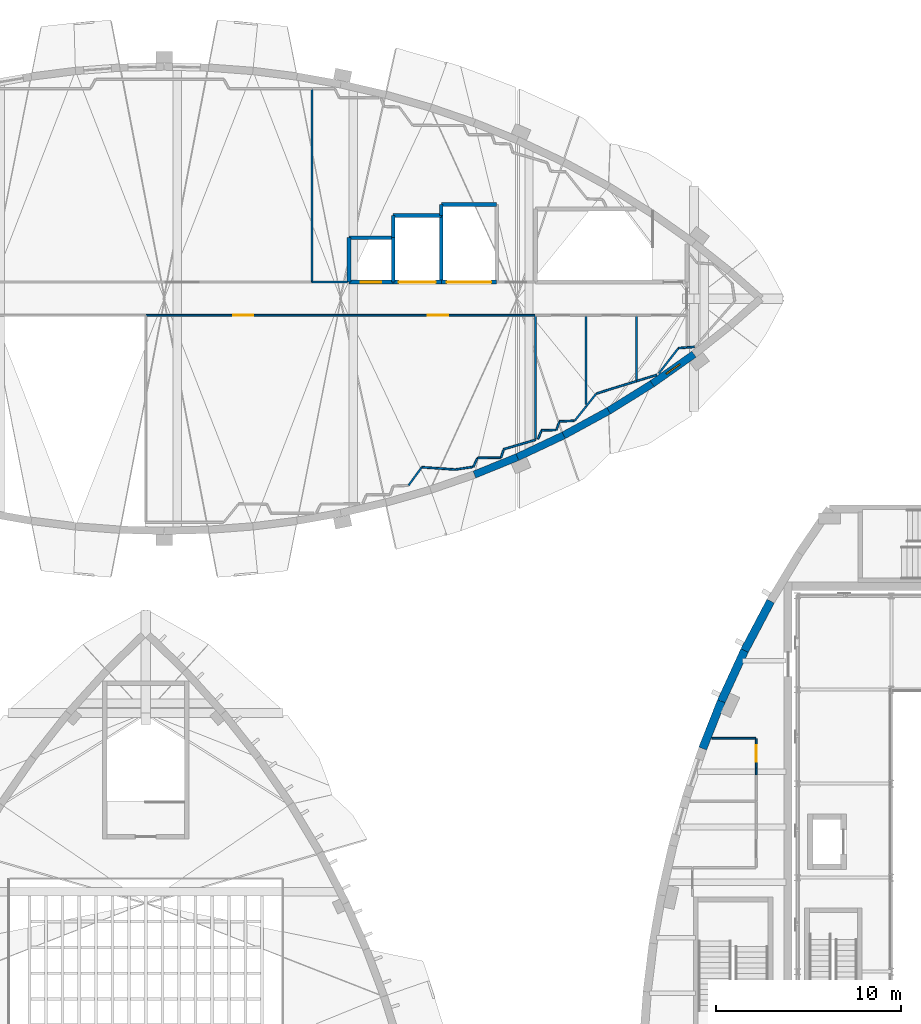
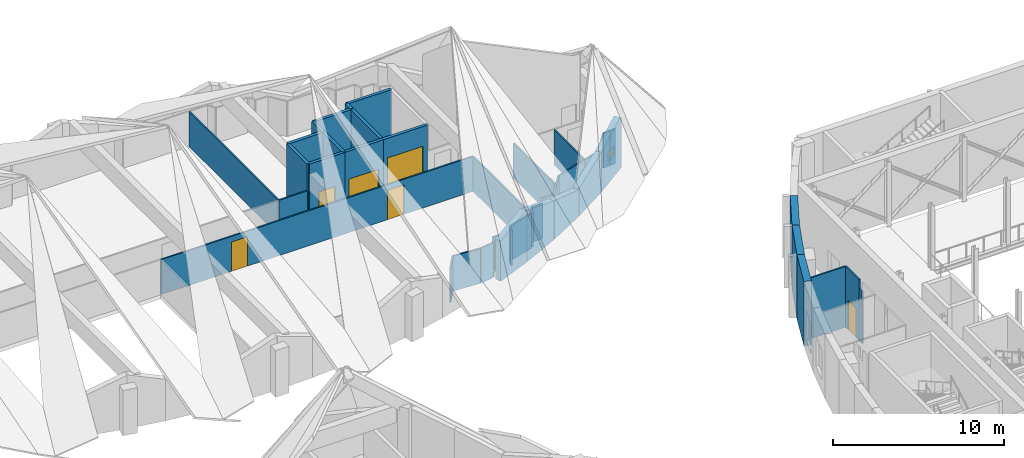
# One storey, part 40 of 56: 46 walls, 6 doors, 1 window, 7 openings.
"""IFC4 building model written with IfcOpenShell, lengths in metres."""

from ifc_helpers import new_model, si_unit, direction, frame, frame_2d, origin, place, context, subcontext, project, spatial, polyline, rectangle, outline, extrude, material, layer, layer_set, type_object, element, fill, save


model = new_model("IFC4")

# Units and contexts
model_context = context("Model", 3, precision=1e-05, world=origin(), true_north=direction((0.0, 1.0)))
body_context = subcontext(model_context, "Body", "Model", "MODEL_VIEW")
ifc_project = project(units=[si_unit("LENGTHUNIT", "METRE"), si_unit("AREAUNIT", "SQUARE_METRE"), si_unit("VOLUMEUNIT", "CUBIC_METRE"), si_unit("PLANEANGLEUNIT", "RADIAN"), si_unit("MASSUNIT", "GRAM", prefix="KILO")], contexts=[model_context])

# Site, building, storey
site_placement = place(None, origin())
site = spatial("IfcSite", under=ifc_project, at=site_placement, CompositionType="ELEMENT")
building_placement = place(site_placement, origin())
building = spatial("IfcBuilding", under=site, at=building_placement, Name="Tide Square Theatres", CompositionType="ELEMENT")
storey_placement = place(building_placement, frame((0.0, 0.0, 10.199951171875)))
storey = spatial("IfcBuildingStorey", under=building, at=storey_placement, Name="L02", CompositionType="ELEMENT", Elevation=10.199951171875)

# Wall, openings, doors
ifc_material_1 = material(Name="Gypsum board on steel studs", Category="steel")
ifc_layer_1 = layer(ifc_material_1, 0.10009765625)
ifc_layer_set_1 = layer_set([ifc_layer_1], Name="Gypsum board on steel studs")
wall_type_1 = type_object("IfcWallType", Name="Partition 100 thick", PredefinedType="PARTITIONING", material=ifc_layer_set_1)
wall_1_placement = place(storey_placement, frame((57.10009765625, 96.89990234375, 0.0), z_axis=(0.0, 0.0, 1.0), x_axis=(-1.0, 0.0, 0.0)))
wall_1 = element("IfcWall", 1, at=wall_1_placement, inside=storey, type_object=wall_type_1, Name="Scenery Workshops partition", PredefinedType="PARTITIONING", context=body_context, shape_type="SweptSolid", body=[
    extrude(rectangle(XDim=21.10009765625, YDim=0.10009765625, at=frame_2d((10.550048828125, 0.0))), origin(), (0.0, 0.0, 1.0), 2.5),
])
opening_1_placement = place(wall_1_placement, frame((15.27490234375, 0.0, 0.0)))
opening_1 = element("IfcOpeningElement", 2, at=opening_1_placement, cuts=wall_1, Name="Opening W2-09", PredefinedType="OPENING", context=body_context, shape_type="SweptSolid", body=[
    extrude(rectangle(XDim=1.10009765625, YDim=2.10009765625, at=frame_2d((0.550048828125, 1.050048828125))), frame((0.0, 0.06005859375, 0.0), z_axis=(0.0, -1.0, 0.0), x_axis=(1.0, 0.0, 0.0)), (0.0, 0.0, 1.0), 0.1201171875),
])
opening_2_placement = place(wall_1_placement, frame((4.72509765625, 0.0, 0.0)))
opening_2 = element("IfcOpeningElement", 3, at=opening_2_placement, cuts=wall_1, Name="Opening W2-10", PredefinedType="OPENING", context=body_context, shape_type="SweptSolid", body=[
    extrude(rectangle(XDim=1.10009765625, YDim=2.10009765625, at=frame_2d((0.550048828125, 1.050048828125))), frame((0.0, 0.06005859375, 0.0), z_axis=(0.0, -1.0, 0.0), x_axis=(1.0, 0.0, 0.0)), (0.0, 0.0, 1.0), 0.1201171875),
])
ifc_material_2 = material(Name="Painted steel", Category="steel")
door_type_1 = type_object("IfcDoorType", Name="Door 1100 x 2100 single leaf", OperationType="NOTDEFINED", PredefinedType="DOOR", material=ifc_material_2)
door_1_placement = place(opening_1_placement, origin())
door_1 = element("IfcDoor", 4, at=door_1_placement, inside=storey, type_object=door_type_1, Name="Scenery Workshops door W2-09 to Scenery Store 02", OperationType="SINGLE_SWING_RIGHT", OverallHeight=2.10009765625, OverallWidth=1.10009765625, PredefinedType="DOOR", context=body_context, shape_type="SweptSolid", body=[
    extrude(rectangle(XDim=1.10009765625, YDim=2.10009765625, at=frame_2d((0.550048828125, 1.050048828125))), frame((0.0, 0.02490234375, 0.0), z_axis=(0.0, -1.0, 0.0), x_axis=(1.0, 0.0, 0.0)), (0.0, 0.0, 1.0), 0.050048828125),
])
fill(opening_1, door_1)
door_2_placement = place(opening_2_placement, origin())
door_2 = element("IfcDoor", 5, at=door_2_placement, inside=storey, type_object=door_type_1, Name="Scenery Workshops door W2-10 to Scenery Store 02", OperationType="SINGLE_SWING_RIGHT", OverallHeight=2.10009765625, OverallWidth=1.10009765625, PredefinedType="DOOR", context=body_context, shape_type="SweptSolid", body=[
    extrude(rectangle(XDim=1.10009765625, YDim=2.10009765625, at=frame_2d((0.550048828125, 1.050048828125))), frame((0.0, 0.02490234375, 0.0), z_axis=(0.0, -1.0, 0.0), x_axis=(1.0, 0.0, 0.0)), (0.0, 0.0, 1.0), 0.050048828125),
])
fill(opening_2, door_2)

# Walls
wall_2_placement = place(storey_placement, frame((45.0, 98.699951171875, 0.0), z_axis=(0.0, 0.0, 1.0), x_axis=(1.0, 0.0, 0.0)))
element("IfcWall", 6, at=wall_2_placement, inside=storey, type_object=wall_type_1, Name="Scenery Workshops partition", PredefinedType="PARTITIONING", context=body_context, shape_type="SweptSolid", body=[
    extrude(rectangle(XDim=1.909912109375, YDim=0.10009765625, at=frame_2d((0.955078125, 0.0))), origin(), (0.0, 0.0, 1.0), 2.5),
])
wall_3_placement = place(storey_placement, frame((45.0, 109.1416015625, 0.0), z_axis=(0.0, 0.0, 1.0), x_axis=(0.0, -1.0, 0.0)))
element("IfcWall", 7, at=wall_3_placement, inside=storey, type_object=wall_type_1, Name="Scenery Workshops partition", PredefinedType="PARTITIONING", context=body_context, shape_type="SweptSolid", body=[
    extrude(rectangle(XDim=10.41162109375, YDim=0.10009765625, at=frame_2d((5.205810546875, 0.0))), origin(), (0.0, 0.0, 1.0), 2.5),
])
wall_4_placement = place(storey_placement, frame((57.10009765625, 90.158447265625, 0.0), z_axis=(0.0, 0.0, 1.0), x_axis=(-0.958762505139, -0.284208477599, 0.0)))
element("IfcWall", 8, at=wall_4_placement, inside=storey, type_object=wall_type_1, Name="Scenery Workshops partition", PredefinedType="PARTITIONING", context=body_context, shape_type="SweptSolid", body=[
    extrude(rectangle(XDim=1.798828125, YDim=0.10009765625, at=frame_2d((0.8994140625, 0.0))), origin(), (0.0, 0.0, 1.0), 2.5),
])
wall_5_placement = place(storey_placement, frame((55.36669921875, 89.618408203125, 0.0), z_axis=(0.0, 0.0, 1.0), x_axis=(-0.293816701139, -0.955861781918, 0.0)))
element("IfcWall", 9, at=wall_5_placement, inside=storey, type_object=wall_type_1, Name="Scenery Workshops partition", PredefinedType="PARTITIONING", context=body_context, shape_type="SweptSolid", body=[
    extrude(rectangle(XDim=0.4462890625, YDim=0.10009765625, at=frame_2d((0.22314453125, 0.0))), origin(), (0.0, 0.0, 1.0), 2.5),
])
wall_6_placement = place(storey_placement, frame((55.205810546875, 89.191650390625, 0.0), z_axis=(0.0, 0.0, 1.0), x_axis=(-0.999946760125, -0.010318765243, 0.0)))
element("IfcWall", 10, at=wall_6_placement, inside=storey, type_object=wall_type_1, Name="Scenery Workshops partition", PredefinedType="PARTITIONING", context=body_context, shape_type="SweptSolid", body=[
    extrude(rectangle(XDim=1.25390625, YDim=0.10009765625, at=frame_2d((0.626953125, 0.0))), origin(), (0.0, 0.0, 1.0), 2.5),
])
wall_7_placement = place(storey_placement, frame((53.939453125, 89.1513671875, 0.0), z_axis=(0.0, 0.0, 1.0), x_axis=(-0.41156059164, -0.911382400208, 0.0)))
element("IfcWall", 11, at=wall_7_placement, inside=storey, type_object=wall_type_1, Name="Scenery Workshops partition", PredefinedType="PARTITIONING", context=body_context, shape_type="SweptSolid", body=[
    extrude(rectangle(XDim=0.500732421875, YDim=0.10009765625, at=frame_2d((0.25048828125, 0.0))), origin(), (0.0, 0.0, 1.0), 2.5),
])
wall_8_placement = place(storey_placement, frame((53.703857421875, 88.69091796875, 0.0), z_axis=(0.0, 0.0, 1.0), x_axis=(-0.989137594244, -0.146992583665, 0.0)))
element("IfcWall", 12, at=wall_8_placement, inside=storey, type_object=wall_type_1, Name="Scenery Workshops partition", PredefinedType="PARTITIONING", context=body_context, shape_type="SweptSolid", body=[
    extrude(rectangle(XDim=0.956787109375, YDim=0.10009765625, at=frame_2d((0.478515625, 0.0))), origin(), (0.0, 0.0, 1.0), 2.5),
])
wall_9_placement = place(storey_placement, frame((52.757568359375, 88.55029296875, 0.0), z_axis=(0.0, 0.0, 1.0), x_axis=(-0.997564674207, 0.069747550305, 0.0)))
element("IfcWall", 13, at=wall_9_placement, inside=storey, type_object=wall_type_1, Name="Scenery Workshops partition", PredefinedType="PARTITIONING", context=body_context, shape_type="SweptSolid", body=[
    extrude(rectangle(XDim=1.816650390625, YDim=0.10009765625, at=frame_2d((0.908203125, 0.0))), origin(), (0.0, 0.0, 1.0), 2.5),
])
wall_10_placement = place(storey_placement, frame((50.927490234375, 88.652587890625, 0.0), z_axis=(0.0, 0.0, 1.0), x_axis=(-0.589331401149, -0.80789139098, 0.0)))
element("IfcWall", 14, at=wall_10_placement, inside=storey, type_object=wall_type_1, Name="Scenery Workshops partition", PredefinedType="PARTITIONING", context=body_context, shape_type="SweptSolid", body=[
    extrude(rectangle(XDim=1.1884765625, YDim=0.10009765625, at=frame_2d((0.59423828125, 0.0))), origin(), (0.0, 0.0, 1.0), 2.5),
])
wall_11_placement = place(storey_placement, frame((59.833251953125, 91.956298828125, 0.0), z_axis=(0.0, 0.0, 1.0), x_axis=(-0.622220537754, -0.78284200347, 0.0)))
element("IfcWall", 15, at=wall_11_placement, inside=storey, type_object=wall_type_1, Name="Scenery Workshops partition", PredefinedType="PARTITIONING", context=body_context, shape_type="SweptSolid", body=[
    extrude(rectangle(XDim=0.975830078125, YDim=0.10009765625, at=frame_2d((0.48779296875, 0.0))), origin(), (0.0, 0.0, 1.0), 2.5),
])
wall_12_placement = place(storey_placement, frame((59.196044921875, 91.191162109375, 0.0), z_axis=(0.0, 0.0, 1.0), x_axis=(-0.999043422178, -0.043729173361, 0.0)))
element("IfcWall", 16, at=wall_12_placement, inside=storey, type_object=wall_type_1, Name="Scenery Workshops partition", PredefinedType="PARTITIONING", context=body_context, shape_type="SweptSolid", body=[
    extrude(rectangle(XDim=0.79833984375, YDim=0.10009765625, at=frame_2d((0.399169921875, 0.0))), origin(), (0.0, 0.0, 1.0), 2.5),
])
wall_13_placement = place(storey_placement, frame((58.388427734375, 91.1279296875, 0.0), z_axis=(0.0, 0.0, 1.0), x_axis=(-0.332985995719, -0.942931772004, 0.0)))
element("IfcWall", 17, at=wall_13_placement, inside=storey, type_object=wall_type_1, Name="Scenery Workshops partition", PredefinedType="PARTITIONING", context=body_context, shape_type="SweptSolid", body=[
    extrude(rectangle(XDim=0.4619140625, YDim=0.10009765625, at=frame_2d((0.23095703125, 0.0))), origin(), (0.0, 0.0, 1.0), 2.5),
])
wall_14_placement = place(storey_placement, frame((58.20458984375, 90.69140625, 0.0), z_axis=(0.0, 0.0, 1.0), x_axis=(-0.999585681844, -0.028783061887, 0.0)))
element("IfcWall", 18, at=wall_14_placement, inside=storey, type_object=wall_type_1, Name="Scenery Workshops partition", PredefinedType="PARTITIONING", context=body_context, shape_type="SweptSolid", body=[
    extrude(rectangle(XDim=0.7802734375, YDim=0.10009765625, at=frame_2d((0.39013671875, 0.0))), origin(), (0.0, 0.0, 1.0), 2.5),
])
wall_15_placement = place(storey_placement, frame((57.41357421875, 90.64111328125, 0.0), z_axis=(0.0, 0.0, 1.0), x_axis=(-0.372802913833, -0.927910549265, 0.0)))
element("IfcWall", 19, at=wall_15_placement, inside=storey, type_object=wall_type_1, Name="Scenery Workshops partition", PredefinedType="PARTITIONING", context=body_context, shape_type="SweptSolid", body=[
    extrude(rectangle(XDim=0.476806640625, YDim=0.10009765625, at=frame_2d((0.23828125, 0.0))), origin(), (0.0, 0.0, 1.0), 2.5),
])
wall_16_placement = place(storey_placement, frame((57.10009765625, 90.1884765625, 0.0), z_axis=(0.0, 0.0, 1.0), x_axis=(0.0, 1.0, 0.0)))
element("IfcWall", 20, at=wall_16_placement, inside=storey, type_object=wall_type_1, Name="Scenery Workshops partition", PredefinedType="PARTITIONING", context=body_context, shape_type="SweptSolid", body=[
    extrude(rectangle(XDim=6.681640625, YDim=0.10009765625, at=frame_2d((3.3408203125, 0.0))), origin(), (0.0, 0.0, 1.0), 2.5),
])
wall_17_placement = place(storey_placement, frame((62.566650390625, 93.335693359375, 0.0), z_axis=(0.0, 0.0, 1.0), x_axis=(-0.954993948464, -0.296625282802, 0.0)))
element("IfcWall", 21, at=wall_17_placement, inside=storey, type_object=wall_type_1, Name="Scenery Workshops partition", PredefinedType="PARTITIONING", context=body_context, shape_type="SweptSolid", body=[
    extrude(rectangle(XDim=2.27587890625, YDim=0.10009765625, at=frame_2d((1.137939453125, 0.0))), origin(), (0.0, 0.0, 1.0), 2.5),
])
wall_18_placement = place(storey_placement, frame((60.38720703125, 92.652587890625, 0.0), z_axis=(0.0, 0.0, 1.0), x_axis=(-0.622584673897, -0.782552441584, 0.0)))
element("IfcWall", 22, at=wall_18_placement, inside=storey, type_object=wall_type_1, Name="Scenery Workshops partition", PredefinedType="PARTITIONING", context=body_context, shape_type="SweptSolid", body=[
    extrude(rectangle(XDim=0.8896484375, YDim=0.10009765625, at=frame_2d((0.44482421875, 0.0))), origin(), (0.0, 0.0, 1.0), 2.5),
])
wall_19_placement = place(storey_placement, frame((59.833251953125, 96.8701171875, 0.0), z_axis=(0.0, 0.0, 1.0), x_axis=(0.0, -1.0, 0.0)))
element("IfcWall", 23, at=wall_19_placement, inside=storey, type_object=wall_type_1, Name="Scenery Workshops partition", PredefinedType="PARTITIONING", context=body_context, shape_type="SweptSolid", body=[
    extrude(rectangle(XDim=4.7939453125, YDim=0.10009765625, at=frame_2d((2.39697265625, 0.0))), origin(), (0.0, 0.0, 1.0), 2.5),
])
wall_20_placement = place(storey_placement, frame((63.668701171875, 93.677978515625, 0.0), z_axis=(0.0, 0.0, 1.0), x_axis=(-0.954998028135, -0.296612147861, 0.0)))
element("IfcWall", 24, at=wall_20_placement, inside=storey, type_object=wall_type_1, Name="Scenery Workshops partition", PredefinedType="PARTITIONING", context=body_context, shape_type="SweptSolid", body=[
    extrude(rectangle(XDim=1.154052734375, YDim=0.10009765625, at=frame_2d((0.5771484375, 0.0))), origin(), (0.0, 0.0, 1.0), 2.5),
])
wall_21_placement = place(storey_placement, frame((62.566650390625, 96.860107421875, 0.0), z_axis=(0.0, 0.0, 1.0), x_axis=(0.0, -1.0, 0.0)))
element("IfcWall", 25, at=wall_21_placement, inside=storey, type_object=wall_type_1, Name="Scenery Workshops partition", PredefinedType="PARTITIONING", context=body_context, shape_type="SweptSolid", body=[
    extrude(rectangle(XDim=3.474365234375, YDim=0.10009765625, at=frame_2d((1.7373046875, 0.0))), origin(), (0.0, 0.0, 1.0), 2.5),
])
wall_22_placement = place(storey_placement, frame((65.300048828125, 95.1591796875, 0.0), z_axis=(0.0, 0.0, 1.0), x_axis=(-0.996890500496, -0.078799302161, 0.0)))
element("IfcWall", 26, at=wall_22_placement, inside=storey, type_object=wall_type_1, Name="Scenery Workshops partition", PredefinedType="PARTITIONING", context=body_context, shape_type="SweptSolid", body=[
    extrude(rectangle(XDim=0.461669921875, YDim=0.10009765625, at=frame_2d((0.23095703125, 0.0))), origin(), (0.0, 0.0, 1.0), 2.5),
])
wall_23_placement = place(storey_placement, frame((64.821533203125, 95.09912109375, 0.0), z_axis=(0.0, 0.0, 1.0), x_axis=(-0.614326279965, -0.789052103314, 0.0)))
element("IfcWall", 27, at=wall_23_placement, inside=storey, type_object=wall_type_1, Name="Scenery Workshops partition", PredefinedType="PARTITIONING", context=body_context, shape_type="SweptSolid", body=[
    extrude(rectangle(XDim=1.708984375, YDim=0.10009765625, at=frame_2d((0.8544921875, 0.0))), origin(), (0.0, 0.0, 1.0), 2.5),
])
wall_24_placement = place(storey_placement, frame((65.70556640625, 95.19140625, 0.0), z_axis=(0.0, 0.0, 1.0), x_axis=(-0.996857122612, -0.079220433585, 0.0)))
element("IfcWall", 28, at=wall_24_placement, inside=storey, type_object=wall_type_1, Name="Scenery Workshops partition", PredefinedType="PARTITIONING", context=body_context, shape_type="SweptSolid", body=[
    extrude(rectangle(XDim=0.40673828125, YDim=0.10009765625, at=frame_2d((0.203369140625, 0.0))), origin(), (0.0, 0.0, 1.0), 2.5),
])
wall_25_placement = place(storey_placement, frame((66.653076171875, 74.0, 0.0), z_axis=(0.0, 0.0, 1.0), x_axis=(1.0, 0.0, 0.0)))
element("IfcWall", 29, at=wall_25_placement, inside=storey, type_object=wall_type_1, Name="Partition", PredefinedType="PARTITIONING", context=body_context, shape_type="SweptSolid", body=[
    extrude(rectangle(XDim=2.36376953125, YDim=0.10009765625, at=frame_2d((1.181884765625, 0.0))), origin(), (0.0, 0.0, 1.0), 4.35009765625),
])

# Wall, opening, door
wall_26_placement = place(storey_placement, frame((69.050048828125, 73.976806640625, 0.0), z_axis=(0.0, 0.0, 1.0), x_axis=(0.0, -1.0, 0.0)))
wall_26 = element("IfcWall", 30, at=wall_26_placement, inside=storey, type_object=wall_type_1, Name="Partition", PredefinedType="PARTITIONING", context=body_context, shape_type="SweptSolid", body=[
    extrude(rectangle(XDim=1.596923828125, YDim=0.10009765625, at=frame_2d((0.79833984375, 0.0))), origin(), (0.0, 0.0, 1.0), 4.35009765625),
])
opening_3_placement = place(wall_26_placement, frame((0.348388671875, 0.0, 0.0)))
opening_3 = element("IfcOpeningElement", 31, at=opening_3_placement, cuts=wall_26, Name="Opening M02-16", PredefinedType="OPENING", context=body_context, shape_type="SweptSolid", body=[
    extrude(rectangle(XDim=0.89990234375, YDim=2.10009765625, at=frame_2d((0.449951171875, 1.050048828125))), frame((0.0, 0.06005859375, 0.0), z_axis=(0.0, -1.0, 0.0), x_axis=(1.0, 0.0, 0.0)), (0.0, 0.0, 1.0), 0.1201171875),
])
ifc_material_3 = material(Name="Hardwood timber", Category="wood")
door_type_2 = type_object("IfcDoorType", Name="Door 900 x 2100 single leaf", OperationType="NOTDEFINED", PredefinedType="DOOR", material=ifc_material_3)
door_3_placement = place(opening_3_placement, frame((0.89990234375, 0.0, 0.0), z_axis=(0.0, 0.0, 1.0), x_axis=(-1.0, 0.0, 0.0)))
door_3 = element("IfcDoor", 32, at=door_3_placement, inside=storey, type_object=door_type_2, Name="Chorus Shower Room door", OperationType="SINGLE_SWING_RIGHT", OverallHeight=2.10009765625, OverallWidth=0.89990234375, PredefinedType="DOOR", context=body_context, shape_type="SweptSolid", body=[
    extrude(rectangle(XDim=0.89990234375, YDim=2.10009765625, at=frame_2d((0.449951171875, 1.050048828125))), frame((0.0, 0.02490234375, 0.0), z_axis=(0.0, -1.0, 0.0), x_axis=(1.0, 0.0, 0.0)), (0.0, 0.0, 1.0), 0.050048828125),
])
fill(opening_3, door_3)

# Walls
wall_27_placement = place(storey_placement, frame((69.050048828125, 72.3798828125, 0.0), z_axis=(0.0, 0.0, 1.0), x_axis=(0.0, -1.0, 0.0)))
element("IfcWall", 33, at=wall_27_placement, inside=storey, type_object=wall_type_1, Name="Partition", PredefinedType="PARTITIONING", context=body_context, shape_type="SweptSolid", body=[
    extrude(rectangle(XDim=0.35986328125, YDim=0.10009765625, at=frame_2d((0.179931640625, 0.0))), origin(), (0.0, 0.0, 1.0), 3.719970703125),
])
ifc_material_4 = material(Name="Concrete C40", Category="concrete")
ifc_layer_2 = layer(ifc_material_4, 0.39990234375)
ifc_layer_set_2 = layer_set([ifc_layer_2], Name="Concrete C40")
wall_type_2 = type_object("IfcWallType", Name="RC curved wall 400 thick", PredefinedType="SOLIDWALL", material=ifc_layer_set_2)
wall_28_placement = place(storey_placement, frame((53.79296875, 88.2783203125, 0.0), z_axis=(0.0, 0.0, 1.0), x_axis=(0.926722795862, 0.375745738007, 0.0)))
element("IfcWall", 34, at=wall_28_placement, inside=storey, type_object=wall_type_2, Name="Scenery Workshops perimeter wall 021", PredefinedType="SOLIDWALL", context=body_context, shape_type="SweptSolid", body=[
    extrude(outline(polyline([(0.0, 0.0), (2.5107421875, 0.0), (2.5107421875, 3.677734375), (2.478271484375, 3.6904296875), (2.397216796875, 3.738525390625), (2.316162109375, 3.709228515625), (0.144287109375, 2.930908203125), (0.0, 2.879150390625), (0.0, 0.0)])), frame((0.0, 0.199951171875, 0.0), z_axis=(0.0, -1.0, 0.0), x_axis=(1.0, 0.0, 0.0)), (0.0, 0.0, 1.0), 0.39990234375),
])
wall_29_placement = place(storey_placement, frame((56.11962890625, 89.2216796875, 0.0), z_axis=(0.0, 0.0, 1.0), x_axis=(0.904527098751, 0.42641614372, 0.0)))
element("IfcWall", 35, at=wall_29_placement, inside=storey, type_object=wall_type_2, Name="Scenery Workshops perimeter wall 022", PredefinedType="SOLIDWALL", context=body_context, shape_type="SweptSolid", body=[
    extrude(outline(polyline([(0.0, 0.0), (2.772216796875, 0.0), (2.772216796875, 2.768310546875), (2.749267578125, 2.777099609375), (0.210693359375, 3.60546875), (0.116455078125, 3.635986328125), (0.0, 3.673828125), (0.0, 0.0)])), frame((0.0, 0.199951171875, 0.0), z_axis=(0.0, -1.0, 0.0), x_axis=(1.0, 0.0, 0.0)), (0.0, 0.0, 1.0), 0.39990234375),
])
wall_30_placement = place(storey_placement, frame((58.627197265625, 90.40380859375, 0.0), z_axis=(0.0, 0.0, 1.0), x_axis=(0.878292493566, 0.478123724308, 0.0)))
element("IfcWall", 36, at=wall_30_placement, inside=storey, type_object=wall_type_2, Name="Scenery Workshops perimeter wall 023", PredefinedType="SOLIDWALL", context=body_context, shape_type="SweptSolid", body=[
    extrude(outline(polyline([(0.0, 0.0), (2.771728515625, 0.0), (2.771728515625, 1.96630859375), (2.734375, 1.9560546875), (2.6728515625, 1.93896484375), (0.0, 2.76416015625), (0.0, 0.0)])), frame((0.0, 0.199951171875, 0.0), z_axis=(0.0, -1.0, 0.0), x_axis=(1.0, 0.0, 0.0)), (0.0, 0.0, 1.0), 0.39990234375),
])
wall_31_placement = place(storey_placement, frame((61.0615234375, 91.72900390625, 0.0), z_axis=(0.0, 0.0, 1.0), x_axis=(0.84912946359, 0.528184772653, 0.0)))
element("IfcWall", 37, at=wall_31_placement, inside=storey, type_object=wall_type_2, Name="Scenery Workshops perimeter wall 024", PredefinedType="SOLIDWALL", context=body_context, shape_type="SweptSolid", body=[
    extrude(outline(polyline([(0.0, 0.0), (2.77197265625, 0.0), (2.771728515625, 2.844970703125), (2.450927734375, 2.765625), (0.525146484375, 2.140380859375), (0.0, 1.969970703125), (0.0, 0.0)])), frame((0.0, 0.199951171875, 0.0), z_axis=(0.0, -1.0, 0.0), x_axis=(1.0, 0.0, 0.0)), (0.0, 0.0, 1.0), 0.39990234375),
])

# Wall, opening, window
wall_32_placement = place(storey_placement, frame((63.415283203125, 93.193115234375, 0.0), z_axis=(0.0, 0.0, 1.0), x_axis=(0.817028877428, 0.576596751161, 0.0)))
wall_32 = element("IfcWall", 38, at=wall_32_placement, inside=storey, type_object=wall_type_2, Name="Scenery Workshops perimeter wall 025", PredefinedType="SOLIDWALL", context=body_context, shape_type="SweptSolid", body=[
    extrude(outline(polyline([(0.0, 0.0), (2.772216796875, 0.0), (2.772216796875, 3.554931640625), (2.743896484375, 3.567626953125), (2.602783203125, 3.693359375), (2.461669921875, 3.6474609375), (0.36669921875, 2.967529296875), (0.0, 2.848388671875), (0.0, 0.0)])), frame((0.0, 0.199951171875, 0.0), z_axis=(0.0, -1.0, 0.0), x_axis=(1.0, 0.0, 0.0)), (0.0, 0.0, 1.0), 0.39990234375),
])
opening_4_placement = place(wall_32_placement, frame((0.93603515625, 0.0, 1.60009765625)))
opening_4 = element("IfcOpeningElement", 39, at=opening_4_placement, cuts=wall_32, Name="Opening WN-12", PredefinedType="OPENING", context=body_context, shape_type="SweptSolid", body=[
    extrude(rectangle(XDim=0.89990234375, YDim=0.60009765625, at=frame_2d((0.449951171875, 0.300048828125))), frame((0.0, 0.2099609375, 0.0), z_axis=(0.0, -1.0, 0.0), x_axis=(1.0, 0.0, 0.0)), (0.0, 0.0, 1.0), 0.419921875),
])
ifc_material_5 = material(Name="Aluminium with laminated glass", Category="aluminium")
window_type = type_object("IfcWindowType", Name="Window 900 x 600", PartitioningType="SINGLE_PANEL", PredefinedType="WINDOW", material=ifc_material_5)
window_placement = place(opening_4_placement, origin())
window = element("IfcWindow", 40, at=window_placement, inside=storey, type_object=window_type, Name="Scenery Workshops window L02-93", OverallHeight=0.60009765625, OverallWidth=0.89990234375, PartitioningType="SINGLE_PANEL", PredefinedType="WINDOW", context=body_context, shape_type="SweptSolid", body=[
    extrude(rectangle(XDim=0.89990234375, YDim=0.60009765625, at=frame_2d((0.449951171875, 0.300048828125))), frame((0.0, 0.030029296875, 0.0), z_axis=(0.0, -1.0, 0.0), x_axis=(1.0, 0.0, 0.0)), (0.0, 0.0, 1.0), 0.06005859375),
])
fill(opening_4, window)

# Walls
ifc_material_6 = material(Name="Concrete C40", Category="concrete")
ifc_layer_3 = layer(ifc_material_6, 0.449951171875)
ifc_layer_set_3 = layer_set([ifc_layer_3], Name="Concrete C40")
wall_type_3 = type_object("IfcWallType", Name="RC curved wall 450 thick", PredefinedType="SOLIDWALL", material=ifc_layer_set_3)
wall_33_placement = place(storey_placement, frame((69.830810546875, 81.42529296875, 0.0), z_axis=(0.0, 0.0, 1.0), x_axis=(-0.466728769487, -0.884400506407, 0.0)))
element("IfcWall", 41, at=wall_33_placement, inside=storey, type_object=wall_type_3, Name="Main Theatre perimeter wall", PredefinedType="SOLIDWALL", context=body_context, shape_type="SweptSolid", body=[
    extrude(rectangle(XDim=3.020751953125, YDim=0.449951171875, at=frame_2d((1.51025390625, 0.0))), origin(), (0.0, 0.0, 1.0), 4.60009765625),
])
wall_34_placement = place(storey_placement, frame((68.4208984375, 78.753662109375, 0.0), z_axis=(0.0, 0.0, 1.0), x_axis=(-0.416407051835, -0.909178292296, 0.0)))
element("IfcWall", 42, at=wall_34_placement, inside=storey, type_object=wall_type_3, Name="Main Theatre perimeter wall", PredefinedType="SOLIDWALL", context=body_context, shape_type="SweptSolid", body=[
    extrude(rectangle(XDim=3.021240234375, YDim=0.449951171875, at=frame_2d((1.5107421875, 0.0))), origin(), (0.0, 0.0, 1.0), 4.60009765625),
])
wall_35_placement = place(storey_placement, frame((67.162841796875, 76.0068359375, 0.0), z_axis=(0.0, 0.0, 1.0), x_axis=(-0.366920100653, -0.930252460215, 0.0)))
element("IfcWall", 43, at=wall_35_placement, inside=storey, type_object=wall_type_3, Name="Main Theatre perimeter wall", PredefinedType="SOLIDWALL", context=body_context, shape_type="SweptSolid", body=[
    extrude(rectangle(XDim=2.751953125, YDim=0.449951171875, at=frame_2d((1.3759765625, 0.0))), origin(), (0.0, 0.0, 1.0), 4.60009765625),
])

# Wall, opening, door
ifc_material_7 = material(Name="Concrete C40", Category="concrete")
ifc_layer_4 = layer(ifc_material_7, 0.199951171875)
ifc_layer_set_4 = layer_set([ifc_layer_4], Name="Concrete C40")
wall_type_4 = type_object("IfcWallType", Name="RC shear wall 200 thick", PredefinedType="SHEAR", material=ifc_layer_set_4)
wall_36_placement = place(storey_placement, frame((52.0, 98.699951171875, 0.0), z_axis=(0.0, 0.0, 1.0), x_axis=(-1.0, 0.0, 0.0)))
wall_36 = element("IfcWall", 44, at=wall_36_placement, inside=storey, type_object=wall_type_4, Name="Scenery Workshops lift shaft wall", PredefinedType="SHEAR", context=body_context, shape_type="SweptSolid", body=[
    extrude(rectangle(XDim=2.60009765625, YDim=0.199951171875, at=frame_2d((1.300048828125, 0.0))), origin(), (0.0, 0.0, 1.0), 4.400146484375),
])
opening_5_placement = place(wall_36_placement, frame((0.300048828125, 0.0, 0.0)))
opening_5 = element("IfcOpeningElement", 45, at=opening_5_placement, cuts=wall_36, Name="Opening LD-W2-2", PredefinedType="OPENING", context=body_context, shape_type="SweptSolid", body=[
    extrude(rectangle(XDim=2.0, YDim=2.39990234375, at=frame_2d((1.0, 1.199951171875))), frame((0.0, 0.10986328125, 0.0), z_axis=(0.0, -1.0, 0.0), x_axis=(1.0, 0.0, 0.0)), (0.0, 0.0, 1.0), 0.219970703125),
])
ifc_material_8 = material(Name="Painted steel", Category="steel")
door_type_3 = type_object("IfcDoorType", Name="Door 2000 x 2400 landing sliding", OperationType="SLIDING_TO_LEFT", PredefinedType="DOOR", material=ifc_material_8)
door_4_placement = place(opening_5_placement, origin())
door_4 = element("IfcDoor", 46, at=door_4_placement, inside=storey, type_object=door_type_3, Name="Scenery Workshops lift landing door 2 L02", OperationType="SLIDING_TO_LEFT", OverallHeight=2.39990234375, OverallWidth=2.0, PredefinedType="DOOR", context=body_context, shape_type="SweptSolid", body=[
    extrude(rectangle(XDim=2.0, YDim=2.39990234375, at=frame_2d((1.0, 1.199951171875))), frame((0.0, 0.02490234375, 0.0), z_axis=(0.0, -1.0, 0.0), x_axis=(1.0, 0.0, 0.0)), (0.0, 0.0, 1.0), 0.050048828125),
])
fill(opening_5, door_4)

# Wall
wall_37_placement = place(storey_placement, frame((49.39990234375, 101.10009765625, 0.0), z_axis=(0.0, 0.0, 1.0), x_axis=(0.0, -1.0, 0.0)))
element("IfcWall", 47, at=wall_37_placement, inside=storey, type_object=wall_type_4, Name="Scenery Workshops lift shaft wall", PredefinedType="SHEAR", context=body_context, shape_type="SweptSolid", body=[
    extrude(rectangle(XDim=2.400146484375, YDim=0.199951171875, at=frame_2d((1.2001953125, 0.0))), origin(), (0.0, 0.0, 1.0), 4.400146484375),
])

# Wall, opening, door
wall_38_placement = place(storey_placement, frame((49.39990234375, 98.699951171875, 0.0), z_axis=(0.0, 0.0, 1.0), x_axis=(-1.0, 0.0, 0.0)))
wall_38 = element("IfcWall", 48, at=wall_38_placement, inside=storey, type_object=wall_type_4, Name="Scenery Workshops lift shaft wall", PredefinedType="SHEAR", context=body_context, shape_type="SweptSolid", body=[
    extrude(rectangle(XDim=2.39990234375, YDim=0.199951171875, at=frame_2d((1.199951171875, 0.0))), origin(), (0.0, 0.0, 1.0), 4.400146484375),
])
opening_6_placement = place(wall_38_placement, frame((0.64990234375, 0.0, 0.0)))
opening_6 = element("IfcOpeningElement", 49, at=opening_6_placement, cuts=wall_38, Name="Opening LD-W1-2", PredefinedType="OPENING", context=body_context, shape_type="SweptSolid", body=[
    extrude(rectangle(XDim=1.10009765625, YDim=2.199951171875, at=frame_2d((0.550048828125, 1.10009765625))), frame((0.0, 0.10986328125, 0.0), z_axis=(0.0, -1.0, 0.0), x_axis=(1.0, 0.0, 0.0)), (0.0, 0.0, 1.0), 0.219970703125),
])
ifc_material_9 = material(Name="Painted steel", Category="steel")
door_type_4 = type_object("IfcDoorType", Name="Door 1100 x 2200 sliding", OperationType="SLIDING_TO_LEFT", PredefinedType="DOOR", material=ifc_material_9)
door_5_placement = place(opening_6_placement, origin())
door_5 = element("IfcDoor", 50, at=door_5_placement, inside=storey, type_object=door_type_4, Name="Scenery Workshops lift landing door 1 L02", OperationType="SLIDING_TO_LEFT", OverallHeight=2.199951171875, OverallWidth=1.10009765625, PredefinedType="DOOR", context=body_context, shape_type="SweptSolid", body=[
    extrude(rectangle(XDim=1.10009765625, YDim=2.199951171875, at=frame_2d((0.550048828125, 1.10009765625))), frame((0.0, 0.02490234375, 0.0), z_axis=(0.0, -1.0, 0.0), x_axis=(1.0, 0.0, 0.0)), (0.0, 0.0, 1.0), 0.050048828125),
])
fill(opening_6, door_5)

# Walls
wall_39_placement = place(storey_placement, frame((47.0, 98.699951171875, 0.0), z_axis=(0.0, 0.0, 1.0), x_axis=(0.0, 1.0, 0.0)))
element("IfcWall", 51, at=wall_39_placement, inside=storey, type_object=wall_type_4, Name="Scenery Workshops lift shaft wall", PredefinedType="SHEAR", context=body_context, shape_type="SweptSolid", body=[
    extrude(rectangle(XDim=2.400146484375, YDim=0.199951171875, at=frame_2d((1.2001953125, 0.0))), origin(), (0.0, 0.0, 1.0), 4.400146484375),
])
wall_40_placement = place(storey_placement, frame((47.0, 101.10009765625, 0.0), z_axis=(0.0, 0.0, 1.0), x_axis=(1.0, 0.0, 0.0)))
element("IfcWall", 52, at=wall_40_placement, inside=storey, type_object=wall_type_4, Name="Scenery Workshops lift shaft wall", PredefinedType="SHEAR", context=body_context, shape_type="SweptSolid", body=[
    extrude(rectangle(XDim=2.39990234375, YDim=0.199951171875, at=frame_2d((1.199951171875, 0.0))), origin(), (0.0, 0.0, 1.0), 4.400146484375),
])
wall_41_placement = place(storey_placement, frame((49.39990234375, 101.10009765625, 0.0), z_axis=(0.0, 0.0, 1.0), x_axis=(0.0, 1.0, 0.0)))
element("IfcWall", 53, at=wall_41_placement, inside=storey, type_object=wall_type_4, Name="Scenery Workshops lift shaft wall", PredefinedType="SHEAR", context=body_context, shape_type="SweptSolid", body=[
    extrude(rectangle(XDim=1.199951171875, YDim=0.199951171875, at=frame_2d((0.60009765625, 0.0))), origin(), (0.0, 0.0, 1.0), 4.400146484375),
])
wall_42_placement = place(storey_placement, frame((49.39990234375, 102.300048828125, 0.0), z_axis=(0.0, 0.0, 1.0), x_axis=(1.0, 0.0, 0.0)))
element("IfcWall", 54, at=wall_42_placement, inside=storey, type_object=wall_type_4, Name="Scenery Workshops lift shaft wall", PredefinedType="SHEAR", context=body_context, shape_type="SweptSolid", body=[
    extrude(rectangle(XDim=2.60009765625, YDim=0.199951171875, at=frame_2d((1.300048828125, 0.0))), origin(), (0.0, 0.0, 1.0), 4.400146484375),
])
wall_43_placement = place(storey_placement, frame((52.0, 102.300048828125, 0.0), z_axis=(0.0, 0.0, 1.0), x_axis=(0.0, 1.0, 0.0)))
element("IfcWall", 55, at=wall_43_placement, inside=storey, type_object=wall_type_4, Name="Scenery Workshops lift shaft wall", PredefinedType="SHEAR", context=body_context, shape_type="SweptSolid", body=[
    extrude(rectangle(XDim=0.599853515625, YDim=0.199951171875, at=frame_2d((0.2998046875, 0.0))), origin(), (0.0, 0.0, 1.0), 4.400146484375),
])
wall_44_placement = place(storey_placement, frame((52.0, 102.89990234375, 0.0), z_axis=(0.0, 0.0, 1.0), x_axis=(1.0, 0.0, 0.0)))
element("IfcWall", 56, at=wall_44_placement, inside=storey, type_object=wall_type_4, Name="Scenery Workshops lift shaft wall", PredefinedType="SHEAR", context=body_context, shape_type="SweptSolid", body=[
    extrude(rectangle(XDim=3.0, YDim=0.199951171875, at=frame_2d((1.5, 0.0))), origin(), (0.0, 0.0, 1.0), 4.400146484375),
])

# Wall, opening, door
wall_45_placement = place(storey_placement, frame((55.0, 98.699951171875, 0.0), z_axis=(0.0, 0.0, 1.0), x_axis=(-1.0, 0.0, 0.0)))
wall_45 = element("IfcWall", 57, at=wall_45_placement, inside=storey, type_object=wall_type_4, Name="Scenery Workshops lift shaft wall", PredefinedType="SHEAR", context=body_context, shape_type="SweptSolid", body=[
    extrude(rectangle(XDim=3.0, YDim=0.199951171875, at=frame_2d((1.5, 0.0))), origin(), (0.0, 0.0, 1.0), 4.400146484375),
])
opening_7_placement = place(wall_45_placement, frame((0.300048828125, 0.0, 0.0)))
opening_7 = element("IfcOpeningElement", 58, at=opening_7_placement, cuts=wall_45, Name="Opening LD-W3-2", PredefinedType="OPENING", context=body_context, shape_type="SweptSolid", body=[
    extrude(rectangle(XDim=2.39990234375, YDim=3.0, at=frame_2d((1.199951171875, 1.5))), frame((0.0, 0.10986328125, 0.0), z_axis=(0.0, -1.0, 0.0), x_axis=(1.0, 0.0, 0.0)), (0.0, 0.0, 1.0), 0.219970703125),
])
ifc_material_10 = material(Name="Painted steel", Category="steel")
door_type_5 = type_object("IfcDoorType", Name="Door 2400 x 3000 bi-parting sliding", OperationType="DOUBLE_DOOR_SLIDING", PredefinedType="DOOR", material=ifc_material_10)
door_6_placement = place(opening_7_placement, origin())
door_6 = element("IfcDoor", 59, at=door_6_placement, inside=storey, type_object=door_type_5, Name="Scenery Workshops lift landing door 3 L02", OperationType="DOUBLE_DOOR_SLIDING", OverallHeight=3.0, OverallWidth=2.39990234375, PredefinedType="DOOR", context=body_context, shape_type="SweptSolid", body=[
    extrude(rectangle(XDim=2.39990234375, YDim=3.0, at=frame_2d((1.199951171875, 1.5))), frame((0.0, 0.02490234375, 0.0), z_axis=(0.0, -1.0, 0.0), x_axis=(1.0, 0.0, 0.0)), (0.0, 0.0, 1.0), 0.050048828125),
])
fill(opening_7, door_6)

# Wall
wall_46_placement = place(storey_placement, frame((52.0, 102.300048828125, 0.0), z_axis=(0.0, 0.0, 1.0), x_axis=(0.0, -1.0, 0.0)))
element("IfcWall", 60, at=wall_46_placement, inside=storey, type_object=wall_type_4, Name="Scenery Workshops lift shaft wall", PredefinedType="SHEAR", context=body_context, shape_type="SweptSolid", body=[
    extrude(rectangle(XDim=3.60009765625, YDim=0.199951171875, at=frame_2d((1.800048828125, 0.0))), origin(), (0.0, 0.0, 1.0), 4.400146484375),
])

save(model, "model.ifc")
